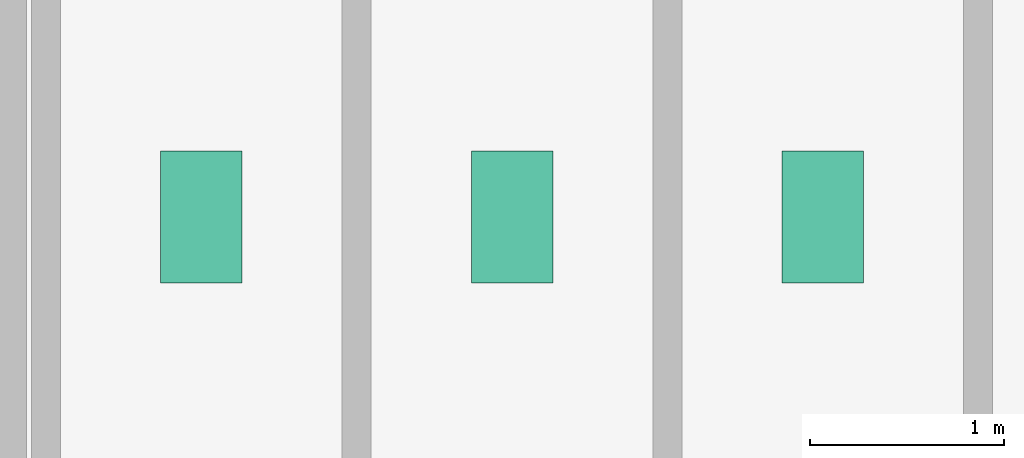
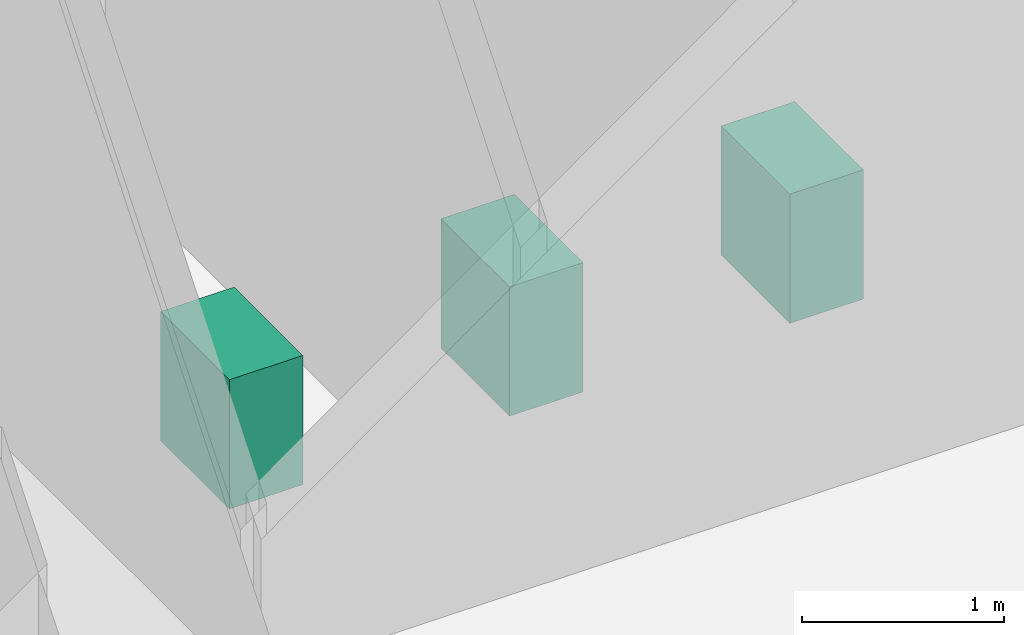
# One storey, part 23 of 23: 3 sanitary terminals.
"""IFC4 building model written with IfcOpenShell, lengths in metres."""

from ifc_helpers import new_model, si_unit, derived_unit, direction, frame, origin, origin_2d, place, context, subcontext, project, spatial, rectangle, extrude, source, transform, mapped, material, type_object, element, save


model = new_model("IFC4")

# Units and contexts
model_context = context("Model", 3, precision=1e-05, world=origin(), true_north=direction((0.0, 1.0)))
body_context = subcontext(model_context, "Body", "Model", "MODEL_VIEW")
ifc_project = project(units=[si_unit("LENGTHUNIT", "METRE"), si_unit("AREAUNIT", "SQUARE_METRE"), si_unit("VOLUMEUNIT", "CUBIC_METRE"), si_unit("PLANEANGLEUNIT", "RADIAN"), si_unit("MASSUNIT", "GRAM", prefix="KILO"), derived_unit("THERMALTRANSMITTANCEUNIT", [(si_unit("POWERUNIT", "WATT"), 1), (si_unit("LENGTHUNIT", "METRE"), -2), (si_unit("THERMODYNAMICTEMPERATUREUNIT", "KELVIN"), -1)])], contexts=[model_context])

# Site, building, storey
site_placement = place(None, origin())
site = spatial("IfcSite", under=ifc_project, at=site_placement, CompositionType="ELEMENT")
building_placement = place(site_placement, origin())
building = spatial("IfcBuilding", under=site, at=building_placement, Name="Skarnbrae Concourse Arena and Tower", CompositionType="ELEMENT")
storey_placement = place(building_placement, frame((0.0, 0.0, 54.39990234375)))
storey = spatial("IfcBuildingStorey", under=building, at=storey_placement, Name="L12", CompositionType="ELEMENT", Elevation=54.39990234375)

# Sanitary terminals
ifc_material = material(Name="Vitreous china sanitaryware", Category="other")
sanitary_terminal_type = type_object("IfcSanitaryTerminalType", Name="SAN-WC-VITREOUS", PredefinedType="TOILETPAN", material=ifc_material)
shared_shape = source(origin(), body_context, "Body", "SweptSolid", [
    extrude(rectangle(XDim=0.419921875, YDim=0.679931640625, at=origin_2d()), origin(), (0.0, 0.0, 1.0), 0.780029296875),
])
for number, where, z_axis, x_axis, name in (
    (1, (35.0, 11.39990234375, 0.0), (0.0, 0.0, 1.0), (1.0, 0.0, 0.0), "L12 Washroom WC fixture 1"),
    (2, (36.60009765625, 11.39990234375, 0.0), (0.0, 0.0, 1.0), (1.0, 0.0, 0.0), "L12 Washroom WC fixture 2"),
    (3, (38.199951171875, 11.39990234375, 0.0), (0.0, 0.0, 1.0), (1.0, 0.0, 0.0), "L12 Washroom WC fixture 3"),
):
    element("IfcSanitaryTerminal", number, at=place(storey_placement, frame(where, z_axis=z_axis, x_axis=x_axis)), inside=storey, type_object=sanitary_terminal_type, Name=name, PredefinedType="TOILETPAN", context=body_context, shape_type="MappedRepresentation", body=[
        mapped(shared_shape, transform((0.0, 0.0, 0.0))),
    ])

save(model, "model.ifc")
